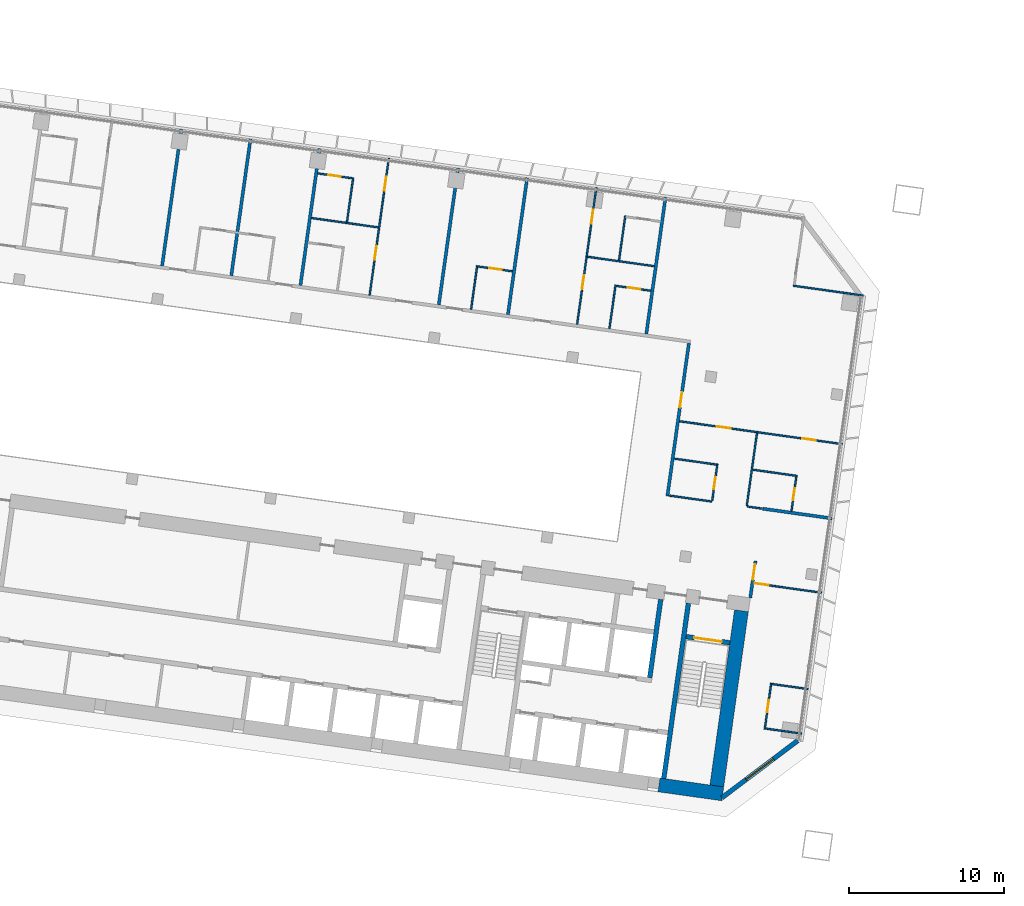
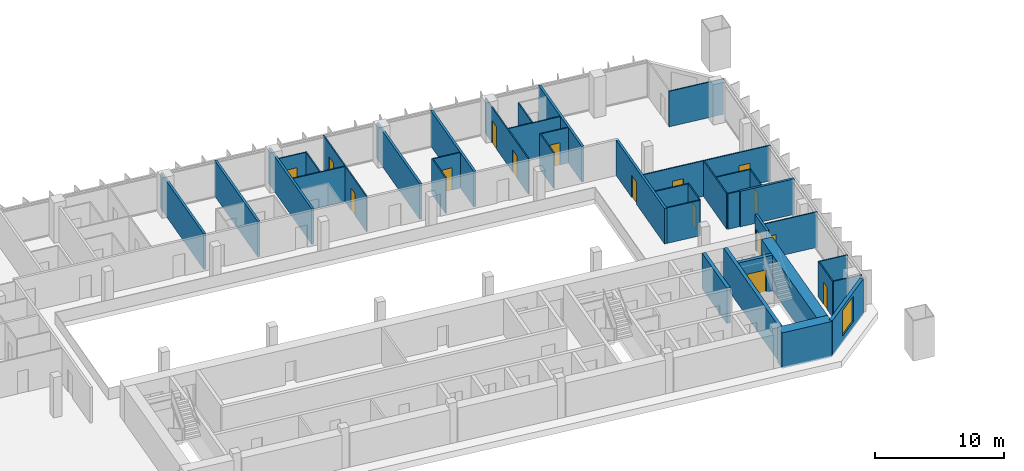
# One storey, part 17 of 25: 39 walls, 16 doors, 1 window, 17 openings.
"""IFC4 building model written with IfcOpenShell, lengths in metres."""

import ifcopenshell
import ifcopenshell.guid

model = None  # the IFC model being written
_history = None  # IfcOwnerHistory: only IFC2X3 demands one
_inside = {}  # id of a spatial element -> (the spatial element, [elements in it])
_under = {}  # id of a project, library or spatial element -> (it, [spatial elements below it])
_declared = {}  # id of a project -> (the project, [libraries it declares])
_typed = {}  # id of a type object -> (the type object, [elements of that type])
_made_of = {}  # id of a material, layer set ... -> (it, [elements and type objects made of it])


def new_model(schema):
    """Start an empty IFC model of exactly this schema.

    Asked for "IFC4X3", IfcOpenShell would pick the latest addendum, in which some entities
    have other attributes; the version numbers below select the first issue.
    IFC2X3 requires an IfcOwnerHistory on every rooted entity: one is made here for all.
    """
    global model, _history
    if schema == "IFC4X3":
        model = ifcopenshell.file(schema_version=(4, 3, 0, 0))
    else:
        model = ifcopenshell.file(schema=schema)
    _inside.clear()
    _under.clear()
    _declared.clear()
    _typed.clear()
    _made_of.clear()
    _history = None
    if model.schema == "IFC2X3":
        org = make("IfcOrganization", Name="unknown")
        user = make(
            "IfcPersonAndOrganization",
            ThePerson=make("IfcPerson", FamilyName="unknown"),
            TheOrganization=org,
        )
        app = make(
            "IfcApplication",
            ApplicationDeveloper=org,
            Version="unknown",
            ApplicationFullName="unknown",
            ApplicationIdentifier="unknown",
        )
        _history = make(
            "IfcOwnerHistory",
            OwningUser=user,
            OwningApplication=app,
            ChangeAction="ADDED",
            CreationDate=0,
        )
    return model


def make(cls, **values):
    """One entity of the class cls with the attributes given. An attribute that is None is left unset."""
    return model.create_entity(
        cls, **{name: value for name, value in values.items() if value is not None}
    )


def rooted(cls, **values):
    """An entity with a GlobalId (a new one), such as an element, a storey or a relation."""
    return make(cls, GlobalId=ifcopenshell.guid.new(), OwnerHistory=_history, **values)


def si_unit(unit_type, name, prefix=None):
    """IfcSIUnit, for example si_unit("LENGTHUNIT", "METRE", prefix="MILLI")."""
    return make("IfcSIUnit", UnitType=unit_type, Prefix=prefix, Name=name)


def assignment(units):
    """IfcUnitAssignment: the units of a project."""
    return None if units is None else make("IfcUnitAssignment", Units=units)


def point(xyz):
    """IfcCartesianPoint."""
    return None if xyz is None else make("IfcCartesianPoint", Coordinates=xyz)


def direction(xyz):
    """IfcDirection."""
    return None if xyz is None else make("IfcDirection", DirectionRatios=xyz)


def frame(location, z_axis=None, x_axis=None):
    """IfcAxis2Placement3D, a coordinate frame: its origin and axes. An axis left out is left unset."""
    return make(
        "IfcAxis2Placement3D",
        Location=point(location),
        Axis=direction(z_axis),
        RefDirection=direction(x_axis),
    )


def frame_2d(location, x_axis=None):
    """IfcAxis2Placement2D, a coordinate frame in the plane: its origin and x axis."""
    return make(
        "IfcAxis2Placement2D", Location=point(location), RefDirection=direction(x_axis)
    )


def origin():
    """The frame at (0, 0, 0) with its axes left unset."""
    return frame((0.0, 0.0, 0.0))


def place(relative_to, where):
    """IfcLocalPlacement: puts the frame where relative to a parent placement (None: the world)."""
    return make(
        "IfcLocalPlacement", PlacementRelTo=relative_to, RelativePlacement=where
    )


def context(
    kind, dimensions, precision=None, world=None, true_north=None, identifier=None
):
    """IfcGeometricRepresentationContext, for example the 3D "Model" context."""
    return make(
        "IfcGeometricRepresentationContext",
        ContextIdentifier=identifier,
        ContextType=kind,
        CoordinateSpaceDimension=dimensions,
        Precision=precision,
        WorldCoordinateSystem=world,
        TrueNorth=true_north,
    )


def subcontext(parent, identifier, kind, view, scale=None):
    """IfcGeometricRepresentationSubContext, for example "Body" below "Model"."""
    return make(
        "IfcGeometricRepresentationSubContext",
        ContextIdentifier=identifier,
        ContextType=kind,
        ParentContext=parent,
        TargetScale=scale,
        TargetView=view,
    )


def project(units=None, contexts=None):
    """IfcProject with its units and contexts."""
    return rooted(
        "IfcProject",
        Name="project",
        RepresentationContexts=contexts,
        UnitsInContext=assignment(units),
    )


def spatial(cls, under=None, at=None, **own):
    """A site, building, storey or space (cls), placed at a placement, below another one or the project."""
    s = rooted(cls, ObjectPlacement=at, **own)
    if under is not None:
        _under.setdefault(under.id(), (under, []))[1].append(s)
    return s


def profile(cls, at=None, kind="AREA", **sizes):
    """A parametric profile (cls). Its sizes go by their IFC names, for example OverallWidth=200.0."""
    return make(cls, ProfileType=kind, Position=at, **sizes)


def rectangle(**sizes):
    """IfcRectangleProfileDef."""
    return profile("IfcRectangleProfileDef", **sizes)


def extrude(swept, where, along, depth):
    """IfcExtrudedAreaSolid: the profile swept, set in the frame where, extruded along a direction by depth."""
    return make(
        "IfcExtrudedAreaSolid",
        SweptArea=swept,
        Position=where,
        ExtrudedDirection=direction(along),
        Depth=depth,
    )


def shape(context_of_items, identifier, shape_type, items):
    """IfcShapeRepresentation: the items that make up one representation, for example the "Body"."""
    return make(
        "IfcShapeRepresentation",
        ContextOfItems=context_of_items,
        RepresentationIdentifier=identifier,
        RepresentationType=shape_type,
        Items=items,
    )


def material(Name=None, Category=None):
    """IfcMaterial."""
    return make("IfcMaterial", Name=Name, Category=Category)


def layer(
    of_material, thickness, ventilated=None, Name=None, Category=None, Priority=None
):
    """IfcMaterialLayer: one layer of a wall or slab, of a material (None: an air gap)."""
    return make(
        "IfcMaterialLayer",
        Material=of_material,
        LayerThickness=thickness,
        IsVentilated=ventilated,
        Name=Name,
        Category=Category,
        Priority=Priority,
    )


def layer_set(layers, Name=None):
    """IfcMaterialLayerSet."""
    return make("IfcMaterialLayerSet", MaterialLayers=layers, LayerSetName=Name)


def made_of(thing, what):
    """Note that an element or type object is made of a material, layer set ...; save() writes the relation."""
    if what is not None:
        _made_of.setdefault(what.id(), (what, []))[1].append(thing)
    return thing


def type_object(cls, material=None, **own):
    """A type object (cls), such as IfcWallType, which elements share."""
    return made_of(rooted(cls, **own), material)


def element(
    cls,
    number,
    at=None,
    inside=None,
    cuts=None,
    type_object=None,
    material=None,
    context=None,
    identifier="Body",
    shape_type=None,
    held_by="IfcProductDefinitionShape",
    body=None,
    shapes=None,
    **own,
):
    """One element of the class cls, such as IfcWall. Its Tag is "e" and its number.

    at: its placement. inside: the storey or other place that contains it. cuts: it is an
    opening in that element (IfcRelVoidsElement). A single representation is given by context,
    identifier, shape_type and body (its items); several are given by shapes. held_by: the class
    of the entity that holds the representations. save() writes the other relations.
    """
    e = rooted(cls, Tag="e%d" % number, ObjectPlacement=at, **own)
    if body is not None:
        shapes = [shape(context, identifier, shape_type, body)]
    if shapes is not None:
        e.Representation = make(held_by, Representations=shapes)
    if inside is not None:
        _inside.setdefault(inside.id(), (inside, []))[1].append(e)
    if cuts is not None:
        rooted(
            "IfcRelVoidsElement", RelatingBuildingElement=cuts, RelatedOpeningElement=e
        )
    if type_object is not None:
        _typed.setdefault(type_object.id(), (type_object, []))[1].append(e)
    return made_of(e, material)


def fill(opening, filler):
    """IfcRelFillsElement: the door or window that sits in an opening."""
    return rooted(
        "IfcRelFillsElement",
        RelatingOpeningElement=opening,
        RelatedBuildingElement=filler,
    )


def aggregate(whole, parts):
    """IfcRelAggregates: a whole, such as a stair, and the parts it consists of."""
    return rooted("IfcRelAggregates", RelatingObject=whole, RelatedObjects=parts)


def save(model, path):
    """Write the relations noted so far, then the file.

    IfcRelAggregates (storeys below a building ...), IfcRelContainedInSpatialStructure (elements
    in a storey), IfcRelDefinesByType, IfcRelAssociatesMaterial and IfcRelDeclares: one each for
    every whole, place, type object, material and project.
    """
    for whole, parts in _under.values():
        aggregate(whole, parts)
    for where, things in _inside.values():
        rooted(
            "IfcRelContainedInSpatialStructure",
            RelatedElements=things,
            RelatingStructure=where,
        )
    for kind, things in _typed.values():
        rooted("IfcRelDefinesByType", RelatedObjects=things, RelatingType=kind)
    for what, things in _made_of.values():
        rooted("IfcRelAssociatesMaterial", RelatedObjects=things, RelatingMaterial=what)
    for by, libraries in _declared.values():
        rooted("IfcRelDeclares", RelatingContext=by, RelatedDefinitions=libraries)
    model.write(path)


model = new_model("IFC4")

# Units and contexts
model_context = context("Model", 3, precision=1e-05, world=origin(), true_north=direction((0.0, 1.0)))
body_context = subcontext(model_context, "Body", "Model", "MODEL_VIEW")
ifc_project = project(units=[si_unit("LENGTHUNIT", "METRE"), si_unit("AREAUNIT", "SQUARE_METRE"), si_unit("VOLUMEUNIT", "CUBIC_METRE"), si_unit("PLANEANGLEUNIT", "RADIAN"), si_unit("MASSUNIT", "GRAM", prefix="KILO")], contexts=[model_context])

# Site, building, storey
site_placement = place(None, origin())
site = spatial("IfcSite", under=ifc_project, at=site_placement, CompositionType="ELEMENT")
building_placement = place(site_placement, origin())
building = spatial("IfcBuilding", under=site, at=building_placement, Name="Mirante Cascada Hotel Towers", CompositionType="ELEMENT")
storey_placement = place(building_placement, frame((0.0, 0.0, 62.3)))
storey = spatial("IfcBuildingStorey", under=building, at=storey_placement, Name="L12", CompositionType="ELEMENT", Elevation=62.3)

# Wall
ifc_material_1 = material(Name="Fire-rated plasterboard on metal studs")
ifc_layer_1 = layer(ifc_material_1, 0.2)
ifc_layer_set_1 = layer_set([ifc_layer_1], Name="Compartment wall 200 EI 120")
wall_type_1 = type_object("IfcWallType", Name="Compartment wall 200 EI 120", PredefinedType="PARTITIONING", material=ifc_layer_set_1)
wall_1_placement = place(storey_placement, frame((-34.4562, -1.3737, 0.0), z_axis=(0.0, 0.0, 1.0), x_axis=(0.9902674, -0.1391779, 0.0)))
element("IfcWall", 1, at=wall_1_placement, inside=storey, type_object=wall_type_1, Name="Wall 1-L12-04", PredefinedType="PARTITIONING", context=body_context, shape_type="SweptSolid", body=[
    extrude(rectangle(XDim=4.5, YDim=0.2, at=frame_2d((2.25, 0.0))), origin(), (0.0, 0.0, 1.0), 3.35),
])

# Wall, opening, door
wall_2_placement = place(storey_placement, frame((-35.2634, -7.1173, 0.0), z_axis=(0.0, 0.0, 1.0), x_axis=(0.1391635, 0.9902694, 0.0)))
wall_2 = element("IfcWall", 2, at=wall_2_placement, inside=storey, type_object=wall_type_1, Name="Wall 1-L12-33", PredefinedType="PARTITIONING", context=body_context, shape_type="SweptSolid", body=[
    extrude(rectangle(XDim=2.4001, YDim=0.2, at=frame_2d((1.2, 0.0))), origin(), (0.0, 0.0, 1.0), 3.35),
])
opening_1_placement = place(wall_2_placement, frame((1.1833, 0.0, 0.0)))
opening_1 = element("IfcOpeningElement", 3, at=opening_1_placement, cuts=wall_2, Name="Opening D1-L12-28", PredefinedType="OPENING", context=body_context, shape_type="SweptSolid", body=[
    extrude(rectangle(XDim=1.0, YDim=2.1, at=frame_2d((0.5, 1.05))), frame((0.0, 0.1, 0.0), z_axis=(0.0, -1.0, 0.0), x_axis=(1.0, 0.0, 0.0)), (0.0, 0.0, 1.0), 0.2),
])
ifc_material_2 = material(Name="Fire-rated timber door leaf", Category="wood")
door_type_1 = type_object("IfcDoorType", Name="Entrance door DG1 1000x2100 EI 60", OperationType="SINGLE_SWING_LEFT", PredefinedType="DOOR", material=ifc_material_2)
door_1_placement = place(opening_1_placement, frame((1.0, 0.0, 0.0), z_axis=(0.0, 0.0, 1.0), x_axis=(-1.0, 0.0, 0.0)))
door_1 = element("IfcDoor", 4, at=door_1_placement, inside=storey, type_object=door_type_1, Name="Door D1-L12-28", OperationType="SINGLE_SWING_RIGHT", OverallHeight=2.1, OverallWidth=1.0, PredefinedType="DOOR", context=body_context, shape_type="SweptSolid", body=[
    extrude(rectangle(XDim=1.0, YDim=2.1, at=frame_2d((0.5, 1.05))), frame((0.0, 0.025, 0.0), z_axis=(0.0, -1.0, 0.0), x_axis=(1.0, 0.0, 0.0)), (0.0, 0.0, 1.0), 0.05),
])
fill(opening_1, door_1)

wall_3_placement = place(storey_placement, frame((-40.6028, -0.5604, 0.0), z_axis=(0.0, 0.0, 1.0), x_axis=(0.1391655, 0.9902691, 0.0)))
wall_3 = element("IfcWall", 5, at=wall_3_placement, inside=storey, type_object=wall_type_1, Name="Wall 1-L12-37", PredefinedType="PARTITIONING", context=body_context, shape_type="SweptSolid", body=[
    extrude(rectangle(XDim=9.95, YDim=0.2, at=frame_2d((4.975, 0.0))), origin(), (0.0, 0.0, 1.0), 3.35),
])
opening_2_placement = place(wall_3_placement, frame((5.7666, 0.0, 0.0)))
opening_2 = element("IfcOpeningElement", 6, at=opening_2_placement, cuts=wall_3, Name="Opening D1-L12-31", PredefinedType="OPENING", context=body_context, shape_type="SweptSolid", body=[
    extrude(rectangle(XDim=1.0, YDim=2.1, at=frame_2d((0.5, 1.05))), frame((0.0, 0.1, 0.0), z_axis=(0.0, -1.0, 0.0), x_axis=(1.0, 0.0, 0.0)), (0.0, 0.0, 1.0), 0.2),
])
door_2_placement = place(opening_2_placement, frame((1.0, 0.0, 0.0), z_axis=(0.0, 0.0, 1.0), x_axis=(-1.0, 0.0, 0.0)))
door_2 = element("IfcDoor", 7, at=door_2_placement, inside=storey, type_object=door_type_1, Name="Door D1-L12-31", OperationType="SINGLE_SWING_RIGHT", OverallHeight=2.1, OverallWidth=1.0, PredefinedType="DOOR", context=body_context, shape_type="SweptSolid", body=[
    extrude(rectangle(XDim=1.0, YDim=2.1, at=frame_2d((0.5, 1.05))), frame((0.0, 0.025, 0.0), z_axis=(0.0, -1.0, 0.0), x_axis=(1.0, 0.0, 0.0)), (0.0, 0.0, 1.0), 0.05),
])
fill(opening_2, door_2)

# Walls
for number, where, z_axis, x_axis, name in (
    (8, (-40.7243, 18.6939, 0.0), (0.0, 0.0, 1.0), (-0.1391794, -0.9902672, 0.0), "Wall 1-L12-38"),
    (9, (-49.6367, 19.9465, 0.0), (0.0, 0.0, 1.0), (-0.1391794, -0.9902672, 0.0), "Wall 1-L12-42"),
    (10, (-54.0929, 20.5728, 0.0), (0.0, 0.0, 1.0), (-0.1391794, -0.9902672, 0.0), "Wall 1-L12-44"),
    (11, (-63.0054, 21.8253, 0.0), (0.0, 0.0, 1.0), (-0.1391684, -0.9902687, 0.0), "Wall 1-L12-48"),
    (12, (-67.4616, 22.4516, 0.0), (0.0, 0.0, 1.0), (-0.1391684, -0.9902687, 0.0), "Wall 1-L12-50"),
    (13, (-71.9178, 23.0779, 0.0), (0.0, 0.0, 1.0), (-0.1391684, -0.9902687, 0.0), "Wall 1-L12-52"),
):
    element("IfcWall", number, at=place(storey_placement, frame(where, z_axis=z_axis, x_axis=x_axis)), inside=storey, type_object=wall_type_1, Name=name, PredefinedType="PARTITIONING", context=body_context, shape_type="SweptSolid", body=[
        extrude(rectangle(XDim=8.9, YDim=0.2, at=frame_2d((4.45, 0.0))), origin(), (0.0, 0.0, 1.0), 3.35),
    ])
ifc_material_3 = material(Name="Plasterboard on metal studs")
ifc_layer_2 = layer(ifc_material_3, 0.1)
ifc_layer_set_2 = layer_set([ifc_layer_2], Name="Partition 100")
wall_type_2 = type_object("IfcWallType", Name="Partition 100", PredefinedType="PARTITIONING", material=ifc_layer_set_2)
for number, where, z_axis, x_axis, name in (
    (14, (-31.9484, -15.8638, 0.0), (0.0, 0.0, 1.0), (-0.9902661, 0.139187, 0.0), "Wall 1-L12-01"),
    (15, (-33.872, -12.6649, 0.0), (0.0, 0.0, 1.0), (0.9902661, -0.139187, 0.0), "Wall 1-L12-02"),
):
    element("IfcWall", number, at=place(storey_placement, frame(where, z_axis=z_axis, x_axis=x_axis)), inside=storey, type_object=wall_type_2, Name=name, PredefinedType="PARTITIONING", context=body_context, shape_type="SweptSolid", body=[
        extrude(rectangle(XDim=2.3501, YDim=0.1, at=frame_2d((1.175, 0.0))), origin(), (0.0, 0.0, 1.0), 3.35),
    ])

# Wall, opening, door
wall_4_placement = place(storey_placement, frame((-30.6727, -6.7863, 0.0), z_axis=(0.0, 0.0, 1.0), x_axis=(-0.9902665, 0.1391841, 0.0)))
wall_4 = element("IfcWall", 16, at=wall_4_placement, inside=storey, type_object=wall_type_2, Name="Wall 1-L12-03", PredefinedType="PARTITIONING", context=body_context, shape_type="SweptSolid", body=[
    extrude(rectangle(XDim=4.3999, YDim=0.1, at=frame_2d((2.2, 0.0))), origin(), (0.0, 0.0, 1.0), 3.35),
])
opening_3_placement = place(wall_4_placement, frame((3.45, 0.0, 0.0)))
opening_3 = element("IfcOpeningElement", 17, at=opening_3_placement, cuts=wall_4, Name="Opening D1-L12-01", PredefinedType="OPENING", context=body_context, shape_type="SweptSolid", body=[
    extrude(rectangle(XDim=0.9, YDim=2.1, at=frame_2d((0.45, 1.05))), frame((0.0, 0.05, 0.0), z_axis=(0.0, -1.0, 0.0), x_axis=(1.0, 0.0, 0.0)), (0.0, 0.0, 1.0), 0.1),
])
ifc_material_4 = material(Name="Timber door leaf", Category="wood")
door_type_2 = type_object("IfcDoorType", Name="Room door DG3 900x2100", OperationType="SINGLE_SWING_LEFT", PredefinedType="DOOR", material=ifc_material_4)
door_3_placement = place(opening_3_placement, origin())
door_3 = element("IfcDoor", 18, at=door_3_placement, inside=storey, type_object=door_type_2, Name="Door D1-L12-01", OperationType="SINGLE_SWING_LEFT", OverallHeight=2.1, OverallWidth=0.9, PredefinedType="DOOR", context=body_context, shape_type="SweptSolid", body=[
    extrude(rectangle(XDim=0.9, YDim=2.1, at=frame_2d((0.45, 1.05))), frame((0.0, 0.025, 0.0), z_axis=(0.0, -1.0, 0.0), x_axis=(1.0, 0.0, 0.0)), (0.0, 0.0, 1.0), 0.05),
])
fill(opening_3, door_3)

# Walls
wall_5_placement = place(storey_placement, frame((-34.4859, -1.3695, 0.0), z_axis=(0.0, 0.0, 1.0), x_axis=(-0.9902801, 0.1390877, 0.0)))
element("IfcWall", 19, at=wall_5_placement, inside=storey, type_object=wall_type_2, Name="Wall 1-L12-05", PredefinedType="PARTITIONING", context=body_context, shape_type="SweptSolid", body=[
    extrude(rectangle(XDim=0.99, YDim=0.1, at=frame_2d((0.495, 0.0))), origin(), (0.0, 0.0, 1.0), 3.35),
])
wall_6_placement = place(storey_placement, frame((-40.4671, -0.5289, 0.0), z_axis=(0.0, 0.0, 1.0), x_axis=(0.9902645, -0.1391984, 0.0)))
element("IfcWall", 20, at=wall_6_placement, inside=storey, type_object=wall_type_2, Name="Wall 1-L12-06", PredefinedType="PARTITIONING", context=body_context, shape_type="SweptSolid", body=[
    extrude(rectangle(XDim=2.74, YDim=0.1, at=frame_2d((1.37, 0.0))), origin(), (0.0, 0.0, 1.0), 3.35),
])
wall_7_placement = place(storey_placement, frame((-35.1125, 1.1421, 0.0), z_axis=(0.0, 0.0, 1.0), x_axis=(0.9902683, -0.1391714, 0.0)))
element("IfcWall", 21, at=wall_7_placement, inside=storey, type_object=wall_type_2, Name="Wall 1-L12-08", PredefinedType="PARTITIONING", context=body_context, shape_type="SweptSolid", body=[
    extrude(rectangle(XDim=2.9, YDim=0.1, at=frame_2d((1.45, 0.0))), origin(), (0.0, 0.0, 1.0), 3.35),
])
wall_8_placement = place(storey_placement, frame((-37.3406, 1.4552, 0.0), z_axis=(0.0, 0.0, 1.0), x_axis=(-0.9902649, 0.1391957, 0.0)))
element("IfcWall", 22, at=wall_8_placement, inside=storey, type_object=wall_type_2, Name="Wall 1-L12-09", PredefinedType="PARTITIONING", context=body_context, shape_type="SweptSolid", body=[
    extrude(rectangle(XDim=2.8499, YDim=0.1, at=frame_2d((1.425, 0.0))), origin(), (0.0, 0.0, 1.0), 3.35),
])

# Wall, openings, doors
wall_9_placement = place(storey_placement, frame((-39.8242, 4.2615, 0.0), z_axis=(0.0, 0.0, 1.0), x_axis=(0.9902686, -0.1391691, 0.0)))
wall_9 = element("IfcWall", 23, at=wall_9_placement, inside=storey, type_object=wall_type_2, Name="Wall 1-L12-12", PredefinedType="PARTITIONING", context=body_context, shape_type="SweptSolid", body=[
    extrude(rectangle(XDim=10.6001, YDim=0.1, at=frame_2d((5.3, 0.0))), origin(), (0.0, 0.0, 1.0), 3.35),
])
opening_4_placement = place(wall_9_placement, frame((7.975, 0.0, 0.0)))
opening_4 = element("IfcOpeningElement", 24, at=opening_4_placement, cuts=wall_9, Name="Opening D1-L12-04", PredefinedType="OPENING", context=body_context, shape_type="SweptSolid", body=[
    extrude(rectangle(XDim=0.9, YDim=2.1, at=frame_2d((0.45, 1.05))), frame((0.0, 0.05, 0.0), z_axis=(0.0, -1.0, 0.0), x_axis=(1.0, 0.0, 0.0)), (0.0, 0.0, 1.0), 0.1),
])
opening_5_placement = place(wall_9_placement, frame((2.425, 0.0, 0.0)))
opening_5 = element("IfcOpeningElement", 25, at=opening_5_placement, cuts=wall_9, Name="Opening D1-L12-05", PredefinedType="OPENING", context=body_context, shape_type="SweptSolid", body=[
    extrude(rectangle(XDim=0.9, YDim=2.1, at=frame_2d((0.45, 1.05))), frame((0.0, 0.05, 0.0), z_axis=(0.0, -1.0, 0.0), x_axis=(1.0, 0.0, 0.0)), (0.0, 0.0, 1.0), 0.1),
])
door_4_placement = place(opening_4_placement, origin())
door_4 = element("IfcDoor", 26, at=door_4_placement, inside=storey, type_object=door_type_2, Name="Door D1-L12-04", OperationType="SINGLE_SWING_LEFT", OverallHeight=2.1, OverallWidth=0.9, PredefinedType="DOOR", context=body_context, shape_type="SweptSolid", body=[
    extrude(rectangle(XDim=0.9, YDim=2.1, at=frame_2d((0.45, 1.05))), frame((0.0, 0.025, 0.0), z_axis=(0.0, -1.0, 0.0), x_axis=(1.0, 0.0, 0.0)), (0.0, 0.0, 1.0), 0.05),
])
fill(opening_4, door_4)
door_5_placement = place(opening_5_placement, origin())
door_5 = element("IfcDoor", 27, at=door_5_placement, inside=storey, type_object=door_type_2, Name="Door D1-L12-05", OperationType="SINGLE_SWING_LEFT", OverallHeight=2.1, OverallWidth=0.9, PredefinedType="DOOR", context=body_context, shape_type="SweptSolid", body=[
    extrude(rectangle(XDim=0.9, YDim=2.1, at=frame_2d((0.45, 1.05))), frame((0.0, 0.025, 0.0), z_axis=(0.0, -1.0, 0.0), x_axis=(1.0, 0.0, 0.0)), (0.0, 0.0, 1.0), 0.05),
])
fill(opening_5, door_5)

# Wall, opening, door
wall_10_placement = place(storey_placement, frame((-43.9004, 12.9804, 0.0), z_axis=(0.0, 0.0, 1.0), x_axis=(0.9902643, -0.1391997, 0.0)))
wall_10 = element("IfcWall", 28, at=wall_10_placement, inside=storey, type_object=wall_type_2, Name="Wall 1-L12-18", PredefinedType="PARTITIONING", context=body_context, shape_type="SweptSolid", body=[
    extrude(rectangle(XDim=2.25, YDim=0.1, at=frame_2d((1.125, 0.0))), origin(), (0.0, 0.0, 1.0), 3.35),
])
opening_6_placement = place(wall_10_placement, frame((0.75, 0.0, 0.0)))
opening_6 = element("IfcOpeningElement", 29, at=opening_6_placement, cuts=wall_10, Name="Opening D1-L12-16", PredefinedType="OPENING", context=body_context, shape_type="SweptSolid", body=[
    extrude(rectangle(XDim=0.8, YDim=2.1, at=frame_2d((0.4, 1.05))), frame((0.0, 0.05, 0.0), z_axis=(0.0, -1.0, 0.0), x_axis=(1.0, 0.0, 0.0)), (0.0, 0.0, 1.0), 0.1),
])
ifc_material_5 = material(Name="Timber door leaf", Category="wood")
door_type_3 = type_object("IfcDoorType", Name="Bathroom door DG4 800x2100", OperationType="SINGLE_SWING_LEFT", PredefinedType="DOOR", material=ifc_material_5)
door_6_placement = place(opening_6_placement, frame((0.8, 0.0, 0.0), z_axis=(0.0, 0.0, 1.0), x_axis=(-1.0, 0.0, 0.0)))
door_6 = element("IfcDoor", 30, at=door_6_placement, inside=storey, type_object=door_type_3, Name="Door D1-L12-16", OperationType="SINGLE_SWING_RIGHT", OverallHeight=2.1, OverallWidth=0.8, PredefinedType="DOOR", context=body_context, shape_type="SweptSolid", body=[
    extrude(rectangle(XDim=0.8, YDim=2.1, at=frame_2d((0.4, 1.05))), frame((0.0, 0.025, 0.0), z_axis=(0.0, -1.0, 0.0), x_axis=(1.0, 0.0, 0.0)), (0.0, 0.0, 1.0), 0.05),
])
fill(opening_6, door_6)

wall_11_placement = place(storey_placement, frame((-50.5847, 13.9198, 0.0), z_axis=(0.0, 0.0, 1.0), x_axis=(-0.9902705, 0.1391561, 0.0)))
wall_11 = element("IfcWall", 31, at=wall_11_placement, inside=storey, type_object=wall_type_2, Name="Wall 1-L12-19", PredefinedType="PARTITIONING", context=body_context, shape_type="SweptSolid", body=[
    extrude(rectangle(XDim=2.25, YDim=0.1, at=frame_2d((1.125, 0.0))), origin(), (0.0, 0.0, 1.0), 3.35),
])
opening_7_placement = place(wall_11_placement, frame((0.7, 0.0, 0.0)))
opening_7 = element("IfcOpeningElement", 32, at=opening_7_placement, cuts=wall_11, Name="Opening D1-L12-17", PredefinedType="OPENING", context=body_context, shape_type="SweptSolid", body=[
    extrude(rectangle(XDim=0.8, YDim=2.1, at=frame_2d((0.4, 1.05))), frame((0.0, 0.05, 0.0), z_axis=(0.0, -1.0, 0.0), x_axis=(1.0, 0.0, 0.0)), (0.0, 0.0, 1.0), 0.1),
])
door_7_placement = place(opening_7_placement, frame((0.8, 0.0, 0.0), z_axis=(0.0, 0.0, 1.0), x_axis=(-1.0, 0.0, 0.0)))
door_7 = element("IfcDoor", 33, at=door_7_placement, inside=storey, type_object=door_type_3, Name="Door D1-L12-17", OperationType="SINGLE_SWING_RIGHT", OverallHeight=2.1, OverallWidth=0.8, PredefinedType="DOOR", context=body_context, shape_type="SweptSolid", body=[
    extrude(rectangle(XDim=0.8, YDim=2.1, at=frame_2d((0.4, 1.05))), frame((0.0, 0.025, 0.0), z_axis=(0.0, -1.0, 0.0), x_axis=(1.0, 0.0, 0.0)), (0.0, 0.0, 1.0), 0.05),
])
fill(opening_7, door_7)

# Walls
wall_12_placement = place(storey_placement, frame((-32.4877, 12.9921, 0.0), z_axis=(0.0, 0.0, 1.0), x_axis=(0.9902691, -0.1391656, 0.0)))
element("IfcWall", 34, at=wall_12_placement, inside=storey, type_object=wall_type_2, Name="Wall 1-L12-24", PredefinedType="PARTITIONING", context=body_context, shape_type="SweptSolid", body=[
    extrude(rectangle(XDim=4.55, YDim=0.1, at=frame_2d((2.275, 0.0))), origin(), (0.0, 0.0, 1.0), 3.35),
])
for number, where, z_axis, x_axis, name in (
    (35, (-41.4496, 14.2516, 0.0), (0.0, 0.0, 1.0), (-0.9902683, 0.1391714, 0.0), "Wall 1-L12-25"),
    (36, (-63.5326, 17.3552, 0.0), (0.0, 0.0, 1.0), (0.9902683, -0.1391714, 0.0), "Wall 1-L12-26"),
):
    element("IfcWall", number, at=place(storey_placement, frame(where, z_axis=z_axis, x_axis=x_axis)), inside=storey, type_object=wall_type_2, Name=name, PredefinedType="PARTITIONING", context=body_context, shape_type="SweptSolid", body=[
        extrude(rectangle(XDim=4.35, YDim=0.1, at=frame_2d((2.175, 0.0))), origin(), (0.0, 0.0, 1.0), 3.35),
    ])

# Wall, opening, door
wall_13_placement = place(storey_placement, frame((-60.9009, 19.9138, 0.0), z_axis=(0.0, 0.0, 1.0), x_axis=(-0.9902643, 0.1391997, 0.0)))
wall_13 = element("IfcWall", 37, at=wall_13_placement, inside=storey, type_object=wall_type_2, Name="Wall 1-L12-29", PredefinedType="PARTITIONING", context=body_context, shape_type="SweptSolid", body=[
    extrude(rectangle(XDim=2.25, YDim=0.1, at=frame_2d((1.125, 0.0))), origin(), (0.0, 0.0, 1.0), 3.35),
])
opening_8_placement = place(wall_13_placement, frame((0.75, 0.0, 0.0)))
opening_8 = element("IfcOpeningElement", 38, at=opening_8_placement, cuts=wall_13, Name="Opening D1-L12-24", PredefinedType="OPENING", context=body_context, shape_type="SweptSolid", body=[
    extrude(rectangle(XDim=0.8, YDim=2.1, at=frame_2d((0.4, 1.05))), frame((0.0, 0.05, 0.0), z_axis=(0.0, -1.0, 0.0), x_axis=(1.0, 0.0, 0.0)), (0.0, 0.0, 1.0), 0.1),
])
door_8_placement = place(opening_8_placement, origin())
door_8 = element("IfcDoor", 39, at=door_8_placement, inside=storey, type_object=door_type_3, Name="Door D1-L12-24", OperationType="SINGLE_SWING_LEFT", OverallHeight=2.1, OverallWidth=0.8, PredefinedType="DOOR", context=body_context, shape_type="SweptSolid", body=[
    extrude(rectangle(XDim=0.8, YDim=2.1, at=frame_2d((0.4, 1.05))), frame((0.0, 0.025, 0.0), z_axis=(0.0, -1.0, 0.0), x_axis=(1.0, 0.0, 0.0)), (0.0, 0.0, 1.0), 0.05),
])
fill(opening_8, door_8)

wall_14_placement = place(storey_placement, frame((-34.332, -15.5793, 0.0), z_axis=(0.0, 0.0, 1.0), x_axis=(0.1391624, 0.9902696, 0.0)))
wall_14 = element("IfcWall", 40, at=wall_14_placement, inside=storey, type_object=wall_type_2, Name="Wall 1-L12-31", PredefinedType="PARTITIONING", context=body_context, shape_type="SweptSolid", body=[
    extrude(rectangle(XDim=3.0001, YDim=0.1, at=frame_2d((1.5001, 0.0))), origin(), (0.0, 0.0, 1.0), 3.35),
])
opening_9_placement = place(wall_14_placement, frame((1.1, 0.0, 0.0)))
opening_9 = element("IfcOpeningElement", 41, at=opening_9_placement, cuts=wall_14, Name="Opening D1-L12-26", PredefinedType="OPENING", context=body_context, shape_type="SweptSolid", body=[
    extrude(rectangle(XDim=0.8, YDim=2.1, at=frame_2d((0.4, 1.05))), frame((0.0, 0.05, 0.0), z_axis=(0.0, -1.0, 0.0), x_axis=(1.0, 0.0, 0.0)), (0.0, 0.0, 1.0), 0.1),
])
door_9_placement = place(opening_9_placement, origin())
door_9 = element("IfcDoor", 42, at=door_9_placement, inside=storey, type_object=door_type_3, Name="Door D1-L12-26", OperationType="SINGLE_SWING_LEFT", OverallHeight=2.1, OverallWidth=0.8, PredefinedType="DOOR", context=body_context, shape_type="SweptSolid", body=[
    extrude(rectangle(XDim=0.8, YDim=2.1, at=frame_2d((0.4, 1.05))), frame((0.0, 0.025, 0.0), z_axis=(0.0, -1.0, 0.0), x_axis=(1.0, 0.0, 0.0)), (0.0, 0.0, 1.0), 0.05),
])
fill(opening_9, door_9)

wall_15_placement = place(storey_placement, frame((-32.2972, 0.6959, 0.0), z_axis=(0.0, 0.0, 1.0), x_axis=(-0.1391561, -0.9902705, 0.0)))
wall_15 = element("IfcWall", 43, at=wall_15_placement, inside=storey, type_object=wall_type_2, Name="Wall 1-L12-32", PredefinedType="PARTITIONING", context=body_context, shape_type="SweptSolid", body=[
    extrude(rectangle(XDim=2.25, YDim=0.1, at=frame_2d((1.125, 0.0))), origin(), (0.0, 0.0, 1.0), 3.35),
])
opening_10_placement = place(wall_15_placement, frame((0.75, 0.0, 0.0)))
opening_10 = element("IfcOpeningElement", 44, at=opening_10_placement, cuts=wall_15, Name="Opening D1-L12-27", PredefinedType="OPENING", context=body_context, shape_type="SweptSolid", body=[
    extrude(rectangle(XDim=0.8, YDim=2.1, at=frame_2d((0.4, 1.05))), frame((0.0, 0.05, 0.0), z_axis=(0.0, -1.0, 0.0), x_axis=(1.0, 0.0, 0.0)), (0.0, 0.0, 1.0), 0.1),
])
door_10_placement = place(opening_10_placement, frame((0.8, 0.0, 0.0), z_axis=(0.0, 0.0, 1.0), x_axis=(-1.0, 0.0, 0.0)))
door_10 = element("IfcDoor", 45, at=door_10_placement, inside=storey, type_object=door_type_3, Name="Door D1-L12-27", OperationType="SINGLE_SWING_RIGHT", OverallHeight=2.1, OverallWidth=0.8, PredefinedType="DOOR", context=body_context, shape_type="SweptSolid", body=[
    extrude(rectangle(XDim=0.8, YDim=2.1, at=frame_2d((0.4, 1.05))), frame((0.0, 0.025, 0.0), z_axis=(0.0, -1.0, 0.0), x_axis=(1.0, 0.0, 0.0)), (0.0, 0.0, 1.0), 0.05),
])
fill(opening_10, door_10)

# Wall
wall_16_placement = place(storey_placement, frame((-35.489, -1.1781, 0.0), z_axis=(0.0, 0.0, 1.0), x_axis=(0.1391613, 0.9902697, 0.0)))
element("IfcWall", 46, at=wall_16_placement, inside=storey, type_object=wall_type_2, Name="Wall 1-L12-35", PredefinedType="PARTITIONING", context=body_context, shape_type="SweptSolid", body=[
    extrude(rectangle(XDim=4.7334, YDim=0.1, at=frame_2d((2.3667, 0.0))), origin(), (0.0, 0.0, 1.0), 3.35),
])

# Wall, opening, door
wall_17_placement = place(storey_placement, frame((-37.397, 1.4127, 0.0), z_axis=(0.0, 0.0, 1.0), x_axis=(-0.1391749, -0.9902678, 0.0)))
wall_17 = element("IfcWall", 47, at=wall_17_placement, inside=storey, type_object=wall_type_2, Name="Wall 1-L12-36", PredefinedType="PARTITIONING", context=body_context, shape_type="SweptSolid", body=[
    extrude(rectangle(XDim=2.3, YDim=0.1, at=frame_2d((1.15, 0.0))), origin(), (0.0, 0.0, 1.0), 3.35),
])
opening_11_placement = place(wall_17_placement, frame((0.75, 0.0, 0.0)))
opening_11 = element("IfcOpeningElement", 48, at=opening_11_placement, cuts=wall_17, Name="Opening D1-L12-30", PredefinedType="OPENING", context=body_context, shape_type="SweptSolid", body=[
    extrude(rectangle(XDim=0.8, YDim=2.1, at=frame_2d((0.4, 1.05))), frame((0.0, 0.05, 0.0), z_axis=(0.0, -1.0, 0.0), x_axis=(1.0, 0.0, 0.0)), (0.0, 0.0, 1.0), 0.1),
])
door_11_placement = place(opening_11_placement, frame((0.8, 0.0, 0.0), z_axis=(0.0, 0.0, 1.0), x_axis=(-1.0, 0.0, 0.0)))
door_11 = element("IfcDoor", 49, at=door_11_placement, inside=storey, type_object=door_type_3, Name="Door D1-L12-30", OperationType="SINGLE_SWING_RIGHT", OverallHeight=2.1, OverallWidth=0.8, PredefinedType="DOOR", context=body_context, shape_type="SweptSolid", body=[
    extrude(rectangle(XDim=0.8, YDim=2.1, at=frame_2d((0.4, 1.05))), frame((0.0, 0.025, 0.0), z_axis=(0.0, -1.0, 0.0), x_axis=(1.0, 0.0, 0.0)), (0.0, 0.0, 1.0), 0.05),
])
fill(opening_11, door_11)

# Walls
wall_18_placement = place(storey_placement, frame((-44.3396, 10.2146, 0.0), z_axis=(0.0, 0.0, 1.0), x_axis=(0.1391613, 0.9902697, 0.0)))
element("IfcWall", 50, at=wall_18_placement, inside=storey, type_object=wall_type_2, Name="Wall 1-L12-39", PredefinedType="PARTITIONING", context=body_context, shape_type="SweptSolid", body=[
    extrude(rectangle(XDim=2.8499, YDim=0.1, at=frame_2d((1.425, 0.0))), origin(), (0.0, 0.0, 1.0), 3.35),
])
wall_19_placement = place(storey_placement, frame((-43.3167, 17.493, 0.0), z_axis=(0.0, 0.0, 1.0), x_axis=(-0.1391761, -0.9902676, 0.0)))
element("IfcWall", 51, at=wall_19_placement, inside=storey, type_object=wall_type_2, Name="Wall 1-L12-40", PredefinedType="PARTITIONING", context=body_context, shape_type="SweptSolid", body=[
    extrude(rectangle(XDim=2.8999, YDim=0.1, at=frame_2d((1.45, 0.0))), origin(), (0.0, 0.0, 1.0), 3.35),
])

# Wall, openings, doors
wall_20_placement = place(storey_placement, frame((-46.4192, 10.5068, 0.0), z_axis=(0.0, 0.0, 1.0), x_axis=(0.1391794, 0.9902672, 0.0)))
wall_20 = element("IfcWall", 52, at=wall_20_placement, inside=storey, type_object=wall_type_2, Name="Wall 1-L12-41", PredefinedType="PARTITIONING", context=body_context, shape_type="SweptSolid", body=[
    extrude(rectangle(XDim=8.9, YDim=0.1, at=frame_2d((4.45, 0.0))), origin(), (0.0, 0.0, 1.0), 3.35),
])
opening_12_placement = place(wall_20_placement, frame((2.3, 0.0, 0.0)))
opening_12 = element("IfcOpeningElement", 53, at=opening_12_placement, cuts=wall_20, Name="Opening D1-L12-32", PredefinedType="OPENING", context=body_context, shape_type="SweptSolid", body=[
    extrude(rectangle(XDim=0.9, YDim=2.1, at=frame_2d((0.45, 1.05))), frame((0.0, 0.05, 0.0), z_axis=(0.0, -1.0, 0.0), x_axis=(1.0, 0.0, 0.0)), (0.0, 0.0, 1.0), 0.1),
])
opening_13_placement = place(wall_20_placement, frame((6.55, 0.0, 0.0)))
opening_13 = element("IfcOpeningElement", 54, at=opening_13_placement, cuts=wall_20, Name="Opening D1-L12-33", PredefinedType="OPENING", context=body_context, shape_type="SweptSolid", body=[
    extrude(rectangle(XDim=0.9, YDim=2.1, at=frame_2d((0.45, 1.05))), frame((0.0, 0.05, 0.0), z_axis=(0.0, -1.0, 0.0), x_axis=(1.0, 0.0, 0.0)), (0.0, 0.0, 1.0), 0.1),
])
door_12_placement = place(opening_12_placement, origin())
door_12 = element("IfcDoor", 55, at=door_12_placement, inside=storey, type_object=door_type_2, Name="Door D1-L12-32", OperationType="SINGLE_SWING_LEFT", OverallHeight=2.1, OverallWidth=0.9, PredefinedType="DOOR", context=body_context, shape_type="SweptSolid", body=[
    extrude(rectangle(XDim=0.9, YDim=2.1, at=frame_2d((0.45, 1.05))), frame((0.0, 0.025, 0.0), z_axis=(0.0, -1.0, 0.0), x_axis=(1.0, 0.0, 0.0)), (0.0, 0.0, 1.0), 0.05),
])
fill(opening_12, door_12)
door_13_placement = place(opening_13_placement, origin())
door_13 = element("IfcDoor", 56, at=door_13_placement, inside=storey, type_object=door_type_2, Name="Door D1-L12-33", OperationType="SINGLE_SWING_LEFT", OverallHeight=2.1, OverallWidth=0.9, PredefinedType="DOOR", context=body_context, shape_type="SweptSolid", body=[
    extrude(rectangle(XDim=0.9, YDim=2.1, at=frame_2d((0.45, 1.05))), frame((0.0, 0.025, 0.0), z_axis=(0.0, -1.0, 0.0), x_axis=(1.0, 0.0, 0.0)), (0.0, 0.0, 1.0), 0.05),
])
fill(opening_13, door_13)

# Wall
wall_21_placement = place(storey_placement, frame((-53.252, 11.4671, 0.0), z_axis=(0.0, 0.0, 1.0), x_axis=(0.1391564, 0.9902704, 0.0)))
element("IfcWall", 57, at=wall_21_placement, inside=storey, type_object=wall_type_2, Name="Wall 1-L12-43", PredefinedType="PARTITIONING", context=body_context, shape_type="SweptSolid", body=[
    extrude(rectangle(XDim=2.85, YDim=0.1, at=frame_2d((1.425, 0.0))), origin(), (0.0, 0.0, 1.0), 3.35),
])

# Wall, openings, doors
wall_22_placement = place(storey_placement, frame((-59.7878, 12.3857, 0.0), z_axis=(0.0, 0.0, 1.0), x_axis=(0.13917, 0.9902685, 0.0)))
wall_22 = element("IfcWall", 58, at=wall_22_placement, inside=storey, type_object=wall_type_2, Name="Wall 1-L12-45", PredefinedType="PARTITIONING", context=body_context, shape_type="SweptSolid", body=[
    extrude(rectangle(XDim=8.8999, YDim=0.1, at=frame_2d((4.45, 0.0))), origin(), (0.0, 0.0, 1.0), 3.35),
])
opening_14_placement = place(wall_22_placement, frame((2.3, 0.0, 0.0)))
opening_14 = element("IfcOpeningElement", 59, at=opening_14_placement, cuts=wall_22, Name="Opening D1-L12-34", PredefinedType="OPENING", context=body_context, shape_type="SweptSolid", body=[
    extrude(rectangle(XDim=0.9, YDim=2.1, at=frame_2d((0.45, 1.05))), frame((0.0, 0.05, 0.0), z_axis=(0.0, -1.0, 0.0), x_axis=(1.0, 0.0, 0.0)), (0.0, 0.0, 1.0), 0.1),
])
opening_15_placement = place(wall_22_placement, frame((6.8, 0.0, 0.0)))
opening_15 = element("IfcOpeningElement", 60, at=opening_15_placement, cuts=wall_22, Name="Opening D1-L12-35", PredefinedType="OPENING", context=body_context, shape_type="SweptSolid", body=[
    extrude(rectangle(XDim=0.9, YDim=2.1, at=frame_2d((0.45, 1.05))), frame((0.0, 0.05, 0.0), z_axis=(0.0, -1.0, 0.0), x_axis=(1.0, 0.0, 0.0)), (0.0, 0.0, 1.0), 0.1),
])
door_14_placement = place(opening_14_placement, frame((0.9, 0.0, 0.0), z_axis=(0.0, 0.0, 1.0), x_axis=(-1.0, 0.0, 0.0)))
door_14 = element("IfcDoor", 61, at=door_14_placement, inside=storey, type_object=door_type_2, Name="Door D1-L12-34", OperationType="SINGLE_SWING_RIGHT", OverallHeight=2.1, OverallWidth=0.9, PredefinedType="DOOR", context=body_context, shape_type="SweptSolid", body=[
    extrude(rectangle(XDim=0.9, YDim=2.1, at=frame_2d((0.45, 1.05))), frame((0.0, 0.025, 0.0), z_axis=(0.0, -1.0, 0.0), x_axis=(1.0, 0.0, 0.0)), (0.0, 0.0, 1.0), 0.05),
])
fill(opening_14, door_14)
door_15_placement = place(opening_15_placement, frame((0.9, 0.0, 0.0), z_axis=(0.0, 0.0, 1.0), x_axis=(-1.0, 0.0, 0.0)))
door_15 = element("IfcDoor", 62, at=door_15_placement, inside=storey, type_object=door_type_2, Name="Door D1-L12-35", OperationType="SINGLE_SWING_RIGHT", OverallHeight=2.1, OverallWidth=0.9, PredefinedType="DOOR", context=body_context, shape_type="SweptSolid", body=[
    extrude(rectangle(XDim=0.9, YDim=2.1, at=frame_2d((0.45, 1.05))), frame((0.0, 0.025, 0.0), z_axis=(0.0, -1.0, 0.0), x_axis=(1.0, 0.0, 0.0)), (0.0, 0.0, 1.0), 0.05),
])
fill(opening_15, door_15)

# Wall
wall_23_placement = place(storey_placement, frame((-61.248, 17.0846, 0.0), z_axis=(0.0, 0.0, 1.0), x_axis=(0.1391714, 0.9902683, 0.0)))
element("IfcWall", 63, at=wall_23_placement, inside=storey, type_object=wall_type_2, Name="Wall 1-L12-47", PredefinedType="PARTITIONING", context=body_context, shape_type="SweptSolid", body=[
    extrude(rectangle(XDim=2.9, YDim=0.1, at=frame_2d((1.45, 0.0))), origin(), (0.0, 0.0, 1.0), 3.35),
])

# Wall, opening, window
ifc_material_6 = material(Name="Precast concrete C40/50", Category="concrete")
ifc_layer_3 = layer(ifc_material_6, 0.3)
ifc_layer_set_3 = layer_set([ifc_layer_3], Name="Precast concrete C40/50 cladding wall 300")
wall_type_3 = type_object("IfcWallType", Name="Precast concrete C40/50 cladding wall 300", PredefinedType="STANDARD", material=ifc_layer_set_3)
wall_24_placement = place(storey_placement, frame((-32.2074, -16.3138, 0.0), z_axis=(0.0, 0.0, 1.0), x_axis=(-0.7986362, -0.6018141, 0.0)))
wall_24 = element("IfcWall", 64, at=wall_24_placement, inside=storey, type_object=wall_type_3, Name="Corner cladding wall T1 L12 inner rear", PredefinedType="STANDARD", context=body_context, shape_type="SweptSolid", body=[
    extrude(rectangle(XDim=6.1157, YDim=0.3, at=frame_2d((3.0578, 0.0))), origin(), (0.0, 0.0, 1.0), 3.35),
])
opening_16_placement = place(wall_24_placement, frame((1.9578, 0.0, 0.6)))
opening_16 = element("IfcOpeningElement", 65, at=opening_16_placement, cuts=wall_24, Name="Opening W1-12-05", PredefinedType="OPENING", context=body_context, shape_type="SweptSolid", body=[
    extrude(rectangle(XDim=2.2, YDim=2.4, at=frame_2d((1.1, 1.2))), frame((0.0, 0.15, 0.0), z_axis=(0.0, -1.0, 0.0), x_axis=(1.0, 0.0, 0.0)), (0.0, 0.0, 1.0), 0.3),
])
ifc_material_7 = material(Name="Aluminium frame with clear double glazing", Category="aluminium")
window_type = type_object("IfcWindowType", Name="Corner suite window 2200x2400", PartitioningType="DOUBLE_PANEL_VERTICAL", PredefinedType="WINDOW", material=ifc_material_7)
window_placement = place(opening_16_placement, origin())
window = element("IfcWindow", 66, at=window_placement, inside=storey, type_object=window_type, Name="Window W1-12-05", OverallHeight=2.4, OverallWidth=2.2, PartitioningType="SINGLE_PANEL", PredefinedType="WINDOW", context=body_context, shape_type="SweptSolid", body=[
    extrude(rectangle(XDim=2.2, YDim=2.4, at=frame_2d((1.1, 1.2))), frame((0.0, 0.03, 0.0), z_axis=(0.0, -1.0, 0.0), x_axis=(1.0, 0.0, 0.0)), (0.0, 0.0, 1.0), 0.06),
])
fill(opening_16, window)

# Wall
ifc_material_8 = material(Name="Concrete C50/60", Category="concrete")
ifc_layer_4 = layer(ifc_material_8, 0.3)
ifc_layer_set_4 = layer_set([ifc_layer_4], Name="RC core wall 300 C50/60")
wall_type_4 = type_object("IfcWallType", Name="RC core wall 300 C50/60", PredefinedType="SHEAR", material=ifc_layer_set_4)
wall_25_placement = place(storey_placement, frame((-40.8373, -18.7548, 0.0), z_axis=(0.0, 0.0, 1.0), x_axis=(0.1391749, 0.9902678, 0.0)))
element("IfcWall", 67, at=wall_25_placement, inside=storey, type_object=wall_type_4, Name="Core wall T1:L12:5", PredefinedType="SHEAR", context=body_context, shape_type="SweptSolid", body=[
    extrude(rectangle(XDim=11.4, YDim=0.3, at=frame_2d((5.7, 0.0))), origin(), (0.0, 0.0, 1.0), 3.35),
])

# Wall, opening, door
wall_26_placement = place(storey_placement, frame((-36.5791, -10.0123, 0.0), z_axis=(0.0, 0.0, 1.0), x_axis=(-0.9902704, 0.1391564, 0.0)))
wall_26 = element("IfcWall", 68, at=wall_26_placement, inside=storey, type_object=wall_type_4, Name="Core wall T1:L12:9", PredefinedType="SHEAR", context=body_context, shape_type="SweptSolid", body=[
    extrude(rectangle(XDim=2.85, YDim=0.3, at=frame_2d((1.425, 0.0))), origin(), (0.0, 0.0, 1.0), 3.35),
])
opening_17_placement = place(wall_26_placement, frame((0.525, 0.0, 0.0)))
opening_17 = element("IfcOpeningElement", 69, at=opening_17_placement, cuts=wall_26, Name="Opening D1-12-C13", PredefinedType="OPENING", context=body_context, shape_type="SweptSolid", body=[
    extrude(rectangle(XDim=1.8, YDim=2.1, at=frame_2d((0.9, 1.05))), frame((0.0, 0.15, 0.0), z_axis=(0.0, -1.0, 0.0), x_axis=(1.0, 0.0, 0.0)), (0.0, 0.0, 1.0), 0.3),
])
ifc_material_9 = material(Name="Hollow metal fire door leaf")
door_type_4 = type_object("IfcDoorType", Name="Double fire door 1800x2100 FD60", OperationType="DOUBLE_DOOR_SINGLE_SWING", PredefinedType="DOOR", material=ifc_material_9)
door_16_placement = place(opening_17_placement, origin())
door_16 = element("IfcDoor", 70, at=door_16_placement, inside=storey, type_object=door_type_4, Name="Stair door T1 L12 13", OperationType="DOUBLE_DOOR_SINGLE_SWING", OverallHeight=2.1, OverallWidth=1.8, PredefinedType="DOOR", context=body_context, shape_type="SweptSolid", body=[
    extrude(rectangle(XDim=0.895, YDim=2.1, at=frame_2d((0.4475, 1.05))), frame((0.0, 0.025, 0.0), z_axis=(0.0, -1.0, 0.0), x_axis=(1.0, 0.0, 0.0)), (0.0, 0.0, 1.0), 0.05),
    extrude(rectangle(XDim=0.895, YDim=2.1, at=frame_2d((1.3525, 1.05))), frame((0.0, 0.025, 0.0), z_axis=(0.0, -1.0, 0.0), x_axis=(1.0, 0.0, 0.0)), (0.0, 0.0, 1.0), 0.05),
])
fill(opening_17, door_16)

# Walls
wall_27_placement = place(storey_placement, frame((-41.743, -12.2656, 0.0), z_axis=(0.0, 0.0, 1.0), x_axis=(0.1391755, 0.9902677, 0.0)))
element("IfcWall", 71, at=wall_27_placement, inside=storey, type_object=wall_type_4, Name="Core wall T1:L12:20", PredefinedType="SHEAR", context=body_context, shape_type="SweptSolid", body=[
    extrude(rectangle(XDim=5.1, YDim=0.3, at=frame_2d((2.55, 0.0))), origin(), (0.0, 0.0, 1.0), 3.35),
])
ifc_material_10 = material(Name="Concrete C50/60", Category="concrete")
ifc_layer_5 = layer(ifc_material_10, 0.9)
ifc_layer_set_5 = layer_set([ifc_layer_5], Name="RC core wall 900 C50/60")
wall_type_5 = type_object("IfcWallType", Name="RC core wall 900 C50/60", PredefinedType="SHEAR", material=ifc_layer_set_5)
wall_28_placement = place(storey_placement, frame((-37.0379, -19.7432, 0.0), z_axis=(0.0, 0.0, 1.0), x_axis=(-0.990267, 0.139181, 0.0)))
element("IfcWall", 72, at=wall_28_placement, inside=storey, type_object=wall_type_5, Name="Core wall T1:L12:1.1", PredefinedType="SHEAR", context=body_context, shape_type="SweptSolid", body=[
    extrude(rectangle(XDim=4.15, YDim=0.9, at=frame_2d((2.075, 0.0))), origin(), (0.0, 0.0, 1.0), 3.35),
])
wall_29_placement = place(storey_placement, frame((-37.4209, -19.2349, 0.0), z_axis=(0.0, 0.0, 1.0), x_axis=(0.1391761, 0.9902677, 0.0)))
element("IfcWall", 73, at=wall_29_placement, inside=storey, type_object=wall_type_5, Name="Core wall T1:L12:3", PredefinedType="SHEAR", context=body_context, shape_type="SweptSolid", body=[
    extrude(rectangle(XDim=11.3999, YDim=0.9, at=frame_2d((5.7, 0.0))), origin(), (0.0, 0.0, 1.0), 3.35),
])

save(model, "model.ifc")
